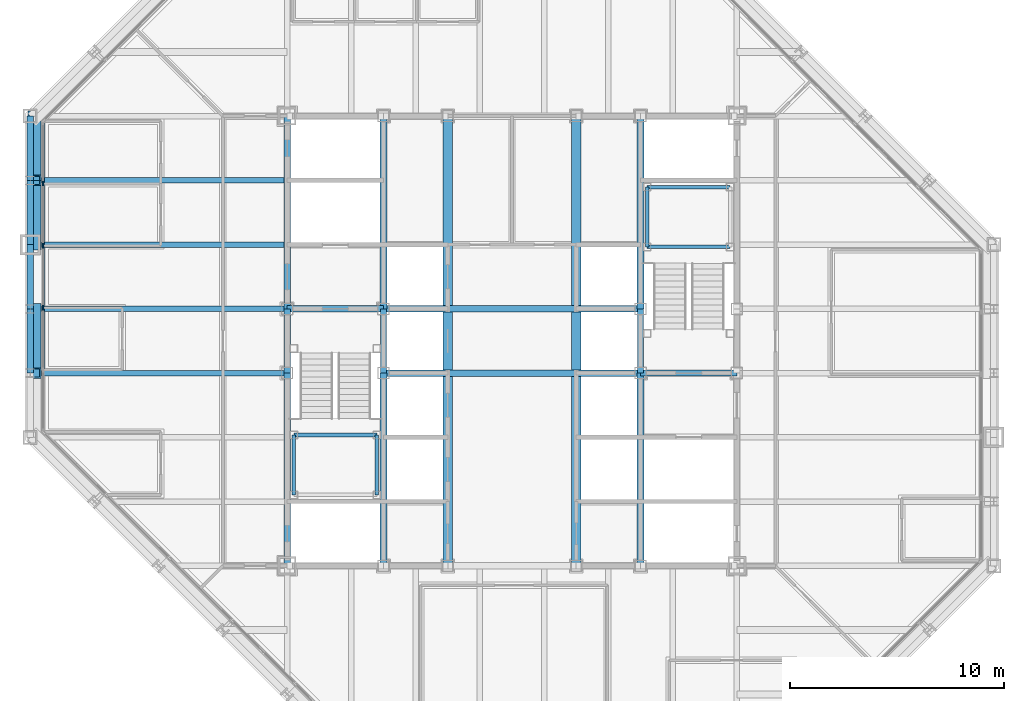
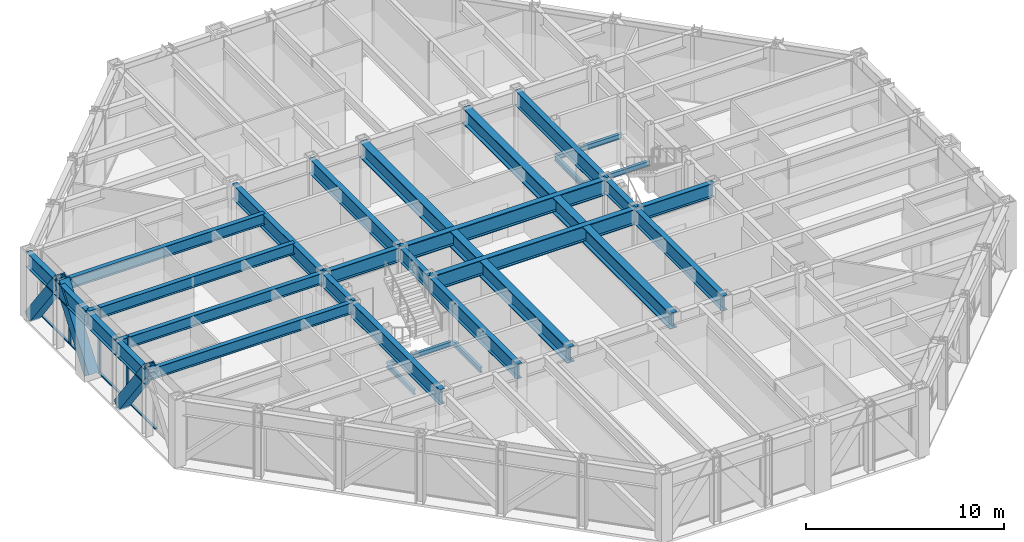
# One storey, part 6 of 16: 33 beams, 10 members, 1 element without a shape of its own.
"""IFC4 building model written with IfcOpenShell, lengths in metres."""

from ifc_helpers import new_model, si_unit, direction, frame, origin, origin_2d, place, context, subcontext, project, spatial, rectangle, hollow_rectangle, i_section, extrude, material, layer, layer_set, material_profile, profile_set, type_object, element, aggregate, save


model = new_model("IFC4")

# Units and contexts
model_context = context("Model", 3, precision=1e-05, world=origin(), true_north=direction((0.0, 1.0)))
body_context = subcontext(model_context, "Body", "Model", "MODEL_VIEW")
ifc_project = project(units=[si_unit("LENGTHUNIT", "METRE"), si_unit("AREAUNIT", "SQUARE_METRE"), si_unit("VOLUMEUNIT", "CUBIC_METRE"), si_unit("PLANEANGLEUNIT", "RADIAN"), si_unit("MASSUNIT", "GRAM", prefix="KILO")], contexts=[model_context])

# Site, building, storey
site_placement = place(None, origin())
site = spatial("IfcSite", under=ifc_project, at=site_placement, CompositionType="ELEMENT")
building_placement = place(site_placement, origin())
building = spatial("IfcBuilding", under=site, at=building_placement, Name="Chuquiago Exchange Tower", CompositionType="ELEMENT")
storey_placement = place(building_placement, frame((0.0, 0.0, 234.89990234375)))
storey = spatial("IfcBuildingStorey", under=building, at=storey_placement, Name="L52", CompositionType="ELEMENT", Elevation=234.89990234375)

# Beams
ifc_material_1 = material(Name="Steel ASTM A992", Category="steel")
ifc_material_profile_1 = material_profile(ifc_material_1, i_section(OverallWidth=0.25390625, OverallDepth=0.683349609375, WebThickness=0.012451171875, FlangeThickness=0.018798828125, at=origin_2d()), Name="W27X94")
ifc_profile_set_1 = profile_set([ifc_material_profile_1], Name="Steel ASTM A992")
beam_type_1 = type_object("IfcBeamType", Name="B1 W27X94", PredefinedType="BEAM", material=ifc_profile_set_1)
for number, where, z_axis, x_axis, name in (
    (1, (12.0, 21.0, 3.698486328125), (-1.0, 0.0, 0.0), (0.0, -1.0, 0.0), "FB-L53-infill-12_21--0_21-0"),
    (2, (12.0, 24.0, 3.698486328125), (-1.0, 0.0, 0.0), (0.0, -1.0, 0.0), "FB-L53-infill-12_24--0_24-0"),
    (3, (12.0, 27.0, 3.698486328125), (-1.0, 0.0, 0.0), (0.0, -1.0, 0.0), "FB-L53-infill-12_27--0_27-0"),
    (4, (12.0, 30.0, 3.698486328125), (-1.0, 0.0, 0.0), (0.0, -1.0, 0.0), "FB-L53-infill-12_30--0_30-0"),
):
    element("IfcBeam", number, at=place(storey_placement, frame(where, z_axis=z_axis, x_axis=x_axis)), inside=storey, type_object=beam_type_1, Name=name, PredefinedType="BEAM", context=body_context, shape_type="SweptSolid", body=[
        extrude(i_section(OverallWidth=0.25390625, OverallDepth=0.683349609375, WebThickness=0.012451171875, FlangeThickness=0.018798828125, at=origin_2d()), origin(), (0.0, 0.0, 1.0), 12.0),
    ])
ifc_material_2 = material(Name="Steel ASTM A992", Category="steel")
ifc_material_profile_2 = material_profile(ifc_material_2, i_section(OverallWidth=0.307373046875, OverallDepth=0.927001953125, WebThickness=0.01953125, FlangeThickness=0.031982421875, at=origin_2d()), Name="W36X194")
ifc_profile_set_2 = profile_set([ifc_material_profile_2], Name="Steel ASTM A992")
beam_type_2 = type_object("IfcBeamType", Name="B10 W36X194", PredefinedType="BEAM", material=ifc_profile_set_2)
for number, where, z_axis, x_axis, name in (
    (5, (12.0, 12.0, 3.576416015625), (0.0, 1.0, 0.0), (-1.0, 0.0, 0.0), "CB-L53-12_12-12_21"),
    (6, (12.0, 24.0, 3.576416015625), (0.0, 1.0, 0.0), (-1.0, 0.0, 0.0), "CB-L53-12_24-12_33"),
    (7, (16.5, 12.0, 3.576416015625), (0.0, 1.0, 0.0), (-1.0, 0.0, 0.0), "CB-L53-16.5_12-16.5_21"),
    (8, (16.5, 24.0, 3.576416015625), (0.0, 1.0, 0.0), (-1.0, 0.0, 0.0), "CB-L53-16.5_24-16.5_33"),
    (9, (28.5, 12.0, 3.576416015625), (0.0, 1.0, 0.0), (-1.0, 0.0, 0.0), "CB-L53-28.5_12-28.5_21"),
    (10, (28.5, 24.0, 3.576416015625), (0.0, 1.0, 0.0), (-1.0, 0.0, 0.0), "CB-L53-28.5_24-28.5_33"),
):
    element("IfcBeam", number, at=place(storey_placement, frame(where, z_axis=z_axis, x_axis=x_axis)), inside=storey, type_object=beam_type_2, Name=name, PredefinedType="BEAM", context=body_context, shape_type="SweptSolid", body=[
        extrude(i_section(OverallWidth=0.307373046875, OverallDepth=0.927001953125, WebThickness=0.01953125, FlangeThickness=0.031982421875, at=origin_2d()), origin(), (0.0, 0.0, 1.0), 9.0),
    ])
ifc_material_3 = material(Name="Steel ASTM A992", Category="steel")
ifc_material_profile_3 = material_profile(ifc_material_3, i_section(OverallWidth=0.309814453125, OverallDepth=0.949951171875, WebThickness=0.0244140625, FlangeThickness=0.0439453125, at=origin_2d()), Name="W36X256")
ifc_profile_set_3 = profile_set([ifc_material_profile_3], Name="Steel ASTM A992")
beam_type_3 = type_object("IfcBeamType", Name="B11 W36X256", PredefinedType="BEAM", material=ifc_profile_set_3)
for number, where, z_axis, x_axis, name in (
    (11, (16.5, 21.0, 3.565185546875), (1.0, 0.0, 0.0), (0.0, 1.0, 0.0), "CB-L53-16.5_21-28.5_21"),
    (12, (16.5, 24.0, 3.565185546875), (1.0, 0.0, 0.0), (0.0, 1.0, 0.0), "CB-L53-16.5_24-28.5_24"),
):
    element("IfcBeam", number, at=place(storey_placement, frame(where, z_axis=z_axis, x_axis=x_axis)), inside=storey, type_object=beam_type_3, Name=name, PredefinedType="BEAM", context=body_context, shape_type="SweptSolid", body=[
        extrude(i_section(OverallWidth=0.309814453125, OverallDepth=0.949951171875, WebThickness=0.0244140625, FlangeThickness=0.0439453125, at=origin_2d()), origin(), (0.0, 0.0, 1.0), 12.0),
    ])
ifc_material_4 = material(Name="Steel ASTM A992", Category="steel")
ifc_material_profile_4 = material_profile(ifc_material_4, i_section(OverallWidth=0.4267578125, OverallDepth=0.975341796875, WebThickness=0.031005859375, FlangeThickness=0.055908203125, at=origin_2d()), Name="W36X395")
ifc_profile_set_4 = profile_set([ifc_material_profile_4], Name="Steel ASTM A992")
beam_type_4 = type_object("IfcBeamType", Name="B12 W36X395", PredefinedType="BEAM", material=ifc_profile_set_4)
beam_1_placement = place(storey_placement, frame((19.5, 12.0, 3.552490234375), z_axis=(0.0, 1.0, 0.0), x_axis=(-1.0, 0.0, 0.0)))
element("IfcBeam", 13, at=beam_1_placement, inside=storey, type_object=beam_type_4, Name="CB-L53-19.5_12-19.5_20.8451", PredefinedType="BEAM", context=body_context, shape_type="SweptSolid", body=[
    extrude(i_section(OverallWidth=0.4267578125, OverallDepth=0.975341796875, WebThickness=0.031005859375, FlangeThickness=0.055908203125, at=origin_2d()), origin(), (0.0, 0.0, 1.0), 8.84521484375),
])
beam_2_placement = place(storey_placement, frame((19.5, 21.15478515625, 3.552490234375), z_axis=(0.0, 1.0, 0.0), x_axis=(-1.0, 0.0, 0.0)))
element("IfcBeam", 14, at=beam_2_placement, inside=storey, type_object=beam_type_4, Name="CB-L53-19.5_21.1549-19.5_23.8451", PredefinedType="BEAM", context=body_context, shape_type="SweptSolid", body=[
    extrude(i_section(OverallWidth=0.4267578125, OverallDepth=0.975341796875, WebThickness=0.031005859375, FlangeThickness=0.055908203125, at=origin_2d()), origin(), (0.0, 0.0, 1.0), 2.6904296875),
])
for number, where, z_axis, x_axis, name in (
    (15, (19.5, 24.15478515625, 3.552490234375), (0.0, 1.0, 0.0), (-1.0, 0.0, 0.0), "CB-L53-19.5_24.1549-19.5_33"),
    (16, (25.5, 12.0, 3.552490234375), (0.0, 1.0, 0.0), (-1.0, 0.0, 0.0), "CB-L53-25.5_12-25.5_20.8451"),
):
    element("IfcBeam", number, at=place(storey_placement, frame(where, z_axis=z_axis, x_axis=x_axis)), inside=storey, type_object=beam_type_4, Name=name, PredefinedType="BEAM", context=body_context, shape_type="SweptSolid", body=[
        extrude(i_section(OverallWidth=0.4267578125, OverallDepth=0.975341796875, WebThickness=0.031005859375, FlangeThickness=0.055908203125, at=origin_2d()), origin(), (0.0, 0.0, 1.0), 8.84521484375),
    ])
beam_3_placement = place(storey_placement, frame((25.5, 21.15478515625, 3.552490234375), z_axis=(0.0, 1.0, 0.0), x_axis=(-1.0, 0.0, 0.0)))
element("IfcBeam", 17, at=beam_3_placement, inside=storey, type_object=beam_type_4, Name="CB-L53-25.5_21.1549-25.5_23.8451", PredefinedType="BEAM", context=body_context, shape_type="SweptSolid", body=[
    extrude(i_section(OverallWidth=0.4267578125, OverallDepth=0.975341796875, WebThickness=0.031005859375, FlangeThickness=0.055908203125, at=origin_2d()), origin(), (0.0, 0.0, 1.0), 2.6904296875),
])
beam_4_placement = place(storey_placement, frame((25.5, 24.15478515625, 3.552490234375), z_axis=(0.0, 1.0, 0.0), x_axis=(-1.0, 0.0, 0.0)))
element("IfcBeam", 18, at=beam_4_placement, inside=storey, type_object=beam_type_4, Name="CB-L53-25.5_24.1549-25.5_33", PredefinedType="BEAM", context=body_context, shape_type="SweptSolid", body=[
    extrude(i_section(OverallWidth=0.4267578125, OverallDepth=0.975341796875, WebThickness=0.031005859375, FlangeThickness=0.055908203125, at=origin_2d()), origin(), (0.0, 0.0, 1.0), 8.84521484375),
])
ifc_material_5 = material(Name="Steel ASTM A992", Category="steel")
ifc_material_profile_5 = material_profile(ifc_material_5, i_section(OverallWidth=0.2919921875, OverallDepth=0.8583984375, WebThickness=0.01708984375, FlangeThickness=0.031005859375, at=origin_2d()), Name="W33X169")
ifc_profile_set_5 = profile_set([ifc_material_profile_5], Name="Steel ASTM A992")
beam_type_5 = type_object("IfcBeamType", Name="B3 W33X169", PredefinedType="BEAM", material=ifc_profile_set_5)
for number, where, z_axis, x_axis, name in (
    (19, (12.0, 21.0, 3.61083984375), (0.0, 1.0, 0.0), (-1.0, 0.0, 0.0), "CB-L53-12_21-12_24"),
    (20, (16.5, 21.0, 3.61083984375), (0.0, 1.0, 0.0), (-1.0, 0.0, 0.0), "CB-L53-16.5_21-16.5_24"),
    (21, (28.5, 21.0, 3.61083984375), (0.0, 1.0, 0.0), (-1.0, 0.0, 0.0), "CB-L53-28.5_21-28.5_24"),
):
    element("IfcBeam", number, at=place(storey_placement, frame(where, z_axis=z_axis, x_axis=x_axis)), inside=storey, type_object=beam_type_5, Name=name, PredefinedType="BEAM", context=body_context, shape_type="SweptSolid", body=[
        extrude(i_section(OverallWidth=0.2919921875, OverallDepth=0.8583984375, WebThickness=0.01708984375, FlangeThickness=0.031005859375, at=origin_2d()), origin(), (0.0, 0.0, 1.0), 3.0),
    ])
for number, where, z_axis, x_axis, name in (
    (22, (28.5, 21.0, 3.61083984375), (1.0, 0.0, 0.0), (0.0, 1.0, 0.0), "CB-L53-28.5_21-33_21"),
    (23, (12.0, 24.0, 3.61083984375), (1.0, 0.0, 0.0), (0.0, 1.0, 0.0), "CB-L53-12_24-16.5_24"),
):
    element("IfcBeam", number, at=place(storey_placement, frame(where, z_axis=z_axis, x_axis=x_axis)), inside=storey, type_object=beam_type_5, Name=name, PredefinedType="BEAM", context=body_context, shape_type="SweptSolid", body=[
        extrude(i_section(OverallWidth=0.2919921875, OverallDepth=0.8583984375, WebThickness=0.01708984375, FlangeThickness=0.031005859375, at=origin_2d()), origin(), (0.0, 0.0, 1.0), 4.5),
    ])

# Curtain wall, members
ifc_material_6 = material(Name="Aluminium curtain wall system", Category="aluminium")
ifc_layer = layer(ifc_material_6, 0.22509765625)
ifc_layer_set = layer_set([ifc_layer], Name="CW2 office curtain wall")
curtain_wall_type = type_object("IfcCurtainWallType", Name="CW2 office curtain wall", PredefinedType="NOTDEFINED", material=ifc_layer_set)
curtain_wall_placement = place(storey_placement, origin())
curtain_wall = element("IfcCurtainWall", 24, at=curtain_wall_placement, inside=storey, type_object=curtain_wall_type, Name="CW2 curtain wall L52", PredefinedType="NOTDEFINED")
ifc_material_7 = material(Name="Aluminium mullion, pale anodised", Category="aluminium")
ifc_material_profile_6 = material_profile(ifc_material_7, rectangle(XDim=0.06494140625, YDim=0.22509765625, at=origin_2d()), Name="AL 65x225")
ifc_profile_set_6 = profile_set([ifc_material_profile_6], Name="Aluminium mullion, pale anodised")
member_type_1 = type_object("IfcMemberType", Name="CW2-M mullion 65x225", PredefinedType="MULLION", material=ifc_profile_set_6)
member_1_placement = place(storey_placement, frame((0.60009765625, 29.850830078125, 0.0), z_axis=(0.0, 0.0, 1.0), x_axis=(1.0, 0.0, 0.0)))
member_1 = element("IfcMember", 25, at=member_1_placement, type_object=member_type_1, Name="CW2 mullion 2", PredefinedType="MULLION", context=body_context, shape_type="SweptSolid", body=[
    extrude(rectangle(XDim=0.06494140625, YDim=0.22509765625, at=origin_2d()), origin(), (0.0, 0.0, 1.0), 4.0400390625),
])
member_2_placement = place(storey_placement, frame((0.60009765625, 26.9501953125, 0.0), z_axis=(0.0, 0.0, 1.0), x_axis=(1.0, 0.0, 0.0)))
member_2 = element("IfcMember", 26, at=member_2_placement, type_object=member_type_1, Name="CW2 mullion 3", PredefinedType="MULLION", context=body_context, shape_type="SweptSolid", body=[
    extrude(rectangle(XDim=0.06494140625, YDim=0.22509765625, at=origin_2d()), origin(), (0.0, 0.0, 1.0), 4.0400390625),
])
member_3_placement = place(storey_placement, frame((0.60009765625, 24.0498046875, 0.0), z_axis=(0.0, 0.0, 1.0), x_axis=(1.0, 0.0, 0.0)))
member_3 = element("IfcMember", 27, at=member_3_placement, type_object=member_type_1, Name="CW2 mullion 4", PredefinedType="MULLION", context=body_context, shape_type="SweptSolid", body=[
    extrude(rectangle(XDim=0.06494140625, YDim=0.22509765625, at=origin_2d()), origin(), (0.0, 0.0, 1.0), 4.0400390625),
])
ifc_material_8 = material(Name="Aluminium transom, pale anodised", Category="aluminium")
ifc_material_profile_7 = material_profile(ifc_material_8, rectangle(XDim=0.139892578125, YDim=0.06494140625, at=origin_2d()), Name="AL 140x65")
ifc_profile_set_7 = profile_set([ifc_material_profile_7], Name="Aluminium transom, pale anodised")
member_type_2 = type_object("IfcMemberType", Name="CW2-T transom 65x140", PredefinedType="MULLION", material=ifc_profile_set_7)
member_4_placement = place(storey_placement, frame((0.60009765625, 32.6865234375, 0.03271484375), z_axis=(0.0, -1.0, 0.0), x_axis=(1.0, 0.0, 0.0)))
member_4 = element("IfcMember", 28, at=member_4_placement, type_object=member_type_2, Name="CW2 transom 1.1", PredefinedType="MULLION", context=body_context, shape_type="SweptSolid", body=[
    extrude(rectangle(XDim=0.139892578125, YDim=0.06494140625, at=origin_2d()), origin(), (0.0, 0.0, 1.0), 2.80322265625),
])
member_5_placement = place(storey_placement, frame((0.60009765625, 29.818359375, 0.03271484375), z_axis=(0.0, -1.0, 0.0), x_axis=(1.0, 0.0, 0.0)))
member_5 = element("IfcMember", 29, at=member_5_placement, type_object=member_type_2, Name="CW2 transom 2.1", PredefinedType="MULLION", context=body_context, shape_type="SweptSolid", body=[
    extrude(rectangle(XDim=0.139892578125, YDim=0.06494140625, at=origin_2d()), origin(), (0.0, 0.0, 1.0), 2.83544921875),
])
member_6_placement = place(storey_placement, frame((0.60009765625, 26.917724609375, 0.03271484375), z_axis=(0.0, -1.0, 0.0), x_axis=(1.0, 0.0, 0.0)))
member_6 = element("IfcMember", 30, at=member_6_placement, type_object=member_type_2, Name="CW2 transom 3.1", PredefinedType="MULLION", context=body_context, shape_type="SweptSolid", body=[
    extrude(rectangle(XDim=0.139892578125, YDim=0.06494140625, at=origin_2d()), origin(), (0.0, 0.0, 1.0), 2.83544921875),
])
member_7_placement = place(storey_placement, frame((0.60009765625, 24.01708984375, 0.03271484375), z_axis=(0.0, -1.0, 0.0), x_axis=(1.0, 0.0, 0.0)))
member_7 = element("IfcMember", 31, at=member_7_placement, type_object=member_type_2, Name="CW2 transom 4.1", PredefinedType="MULLION", context=body_context, shape_type="SweptSolid", body=[
    extrude(rectangle(XDim=0.139892578125, YDim=0.06494140625, at=origin_2d()), origin(), (0.0, 0.0, 1.0), 2.83544921875),
])
aggregate(curtain_wall, [member_1, member_2, member_3, member_4, member_5, member_6, member_7])

# Beams
ifc_material_9 = material(Name="Steel ASTM A992", Category="steel")
ifc_material_profile_8 = material_profile(ifc_material_9, i_section(OverallWidth=0.164794921875, OverallDepth=0.309814453125, WebThickness=0.005859375, FlangeThickness=0.009765625, at=origin_2d()), Name="W12X26")
ifc_profile_set_8 = profile_set([ifc_material_profile_8], Name="Steel ASTM A992")
beam_type_6 = type_object("IfcBeamType", Name="LS1 W12X26", PredefinedType="BEAM", material=ifc_profile_set_8)
for number, where, z_axis, x_axis, name in (
    (32, (12.31005859375, 15.31005859375, 1.7451171875), (0.0, 1.0, 0.0), (-1.0, 0.0, 0.0), "Stair ST1 L52 landing 1 stringer"),
    (33, (16.18994140625, 15.31005859375, 1.7451171875), (0.0, 1.0, 0.0), (-1.0, 0.0, 0.0), "Stair ST1 L52 landing 1 stringer"),
    (34, (28.81005859375, 26.889892578125, 1.7451171875), (0.0, 1.0, 0.0), (-1.0, 0.0, 0.0), "Stair ST2 L52 landing 1 stringer"),
):
    element("IfcBeam", number, at=place(storey_placement, frame(where, z_axis=z_axis, x_axis=x_axis)), inside=storey, type_object=beam_type_6, Name=name, PredefinedType="BEAM", context=body_context, shape_type="SweptSolid", body=[
        extrude(i_section(OverallWidth=0.164794921875, OverallDepth=0.309814453125, WebThickness=0.005859375, FlangeThickness=0.009765625, at=origin_2d()), origin(), (0.0, 0.0, 1.0), 2.800048828125),
    ])
ifc_material_10 = material(Name="Steel ASTM A992", Category="steel")
ifc_material_profile_9 = material_profile(ifc_material_10, i_section(OverallWidth=0.164794921875, OverallDepth=0.309814453125, WebThickness=0.005859375, FlangeThickness=0.009765625, at=origin_2d()), Name="W12X26")
ifc_profile_set_9 = profile_set([ifc_material_profile_9], Name="Steel ASTM A992")
beam_type_7 = type_object("IfcBeamType", Name="LT1 W12X26", PredefinedType="BEAM", material=ifc_profile_set_9)
for number, where, z_axis, x_axis, name in (
    (35, (12.31005859375, 18.110107421875, 1.7451171875), (1.0, 0.0, 0.0), (0.0, 1.0, 0.0), "Stair ST1 L52 landing 1 trimmer"),
    (36, (28.81005859375, 29.68994140625, 1.7451171875), (1.0, 0.0, 0.0), (0.0, 1.0, 0.0), "Stair ST2 L52 landing 1 trimmer"),
    (37, (28.81005859375, 26.889892578125, 1.7451171875), (1.0, 0.0, 0.0), (0.0, 1.0, 0.0), "Stair ST2 L52 landing 1 trimmer"),
):
    element("IfcBeam", number, at=place(storey_placement, frame(where, z_axis=z_axis, x_axis=x_axis)), inside=storey, type_object=beam_type_7, Name=name, PredefinedType="BEAM", context=body_context, shape_type="SweptSolid", body=[
        extrude(i_section(OverallWidth=0.164794921875, OverallDepth=0.309814453125, WebThickness=0.005859375, FlangeThickness=0.009765625, at=origin_2d()), origin(), (0.0, 0.0, 1.0), 3.8798828125),
    ])

# Members
ifc_material_11 = material(Name="Steel ASTM A572 Grade 50", Category="steel")
ifc_material_profile_10 = material_profile(ifc_material_11, hollow_rectangle(XDim=0.60009765625, YDim=0.60009765625, WallThickness=0.06005859375, at=origin_2d()), Name="BOX600X600X60")
ifc_profile_set_10 = profile_set([ifc_material_profile_10], Name="Steel ASTM A572 Grade 50")
member_type_3 = type_object("IfcMemberType", Name="MB3 BOX600X600X60", PredefinedType="BRACE", material=ifc_profile_set_10)
for number, where, z_axis, x_axis, name in (
    (38, (0.205078125, 33.0, 0.0), (0.0, -0.596173923302, 0.802855312728), (1.0, 0.0, 0.0), "Mega diagonal L52 W face"),
    (39, (0.205078125, 27.0, 0.0), (0.0, 0.596173923302, 0.802855312728), (-1.0, 0.0, 0.0), "Mega diagonal L52 W face"),
    (40, (0.205078125, 24.0, 0.0), (0.0, -0.596173923302, 0.802855312728), (1.0, 0.0, 0.0), "Mega diagonal L52 W face"),
):
    element("IfcMember", number, at=place(storey_placement, frame(where, z_axis=z_axis, x_axis=x_axis)), inside=storey, type_object=member_type_3, Name=name, PredefinedType="BRACE", context=body_context, shape_type="SweptSolid", body=[
        extrude(hollow_rectangle(XDim=0.60009765625, YDim=0.60009765625, WallThickness=0.06005859375, at=origin_2d()), origin(), (0.0, 0.0, 1.0), 5.031982421875),
    ])

# Beams
ifc_material_12 = material(Name="Steel ASTM A992", Category="steel")
ifc_material_profile_11 = material_profile(ifc_material_12, i_section(OverallWidth=0.307373046875, OverallDepth=0.927001953125, WebThickness=0.01953125, FlangeThickness=0.031982421875, at=origin_2d()), Name="W36X194")
ifc_profile_set_11 = profile_set([ifc_material_profile_11], Name="Steel ASTM A992")
beam_type_8 = type_object("IfcBeamType", Name="SP3 W36X194", PredefinedType="SPANDREL", material=ifc_profile_set_11)
for number, where, z_axis, x_axis, name in (
    (41, (0.0, 33.0, 3.576416015625), (0.0, -1.0, 0.0), (1.0, 0.0, 0.0), "SPB-L53-0_33-0_30"),
    (42, (0.0, 30.0, 3.576416015625), (0.0, -1.0, 0.0), (1.0, 0.0, 0.0), "SPB-L53-0_30-0_27"),
    (43, (0.0, 27.0, 3.576416015625), (0.0, -1.0, 0.0), (1.0, 0.0, 0.0), "SPB-L53-0_27-0_24"),
    (44, (0.0, 24.0, 3.576416015625), (0.0, -1.0, 0.0), (1.0, 0.0, 0.0), "SPB-L53-0_24-0_21"),
):
    element("IfcBeam", number, at=place(storey_placement, frame(where, z_axis=z_axis, x_axis=x_axis)), inside=storey, type_object=beam_type_8, Name=name, PredefinedType="SPANDREL", context=body_context, shape_type="SweptSolid", body=[
        extrude(i_section(OverallWidth=0.307373046875, OverallDepth=0.927001953125, WebThickness=0.01953125, FlangeThickness=0.031982421875, at=origin_2d()), origin(), (0.0, 0.0, 1.0), 3.0),
    ])

save(model, "model.ifc")
